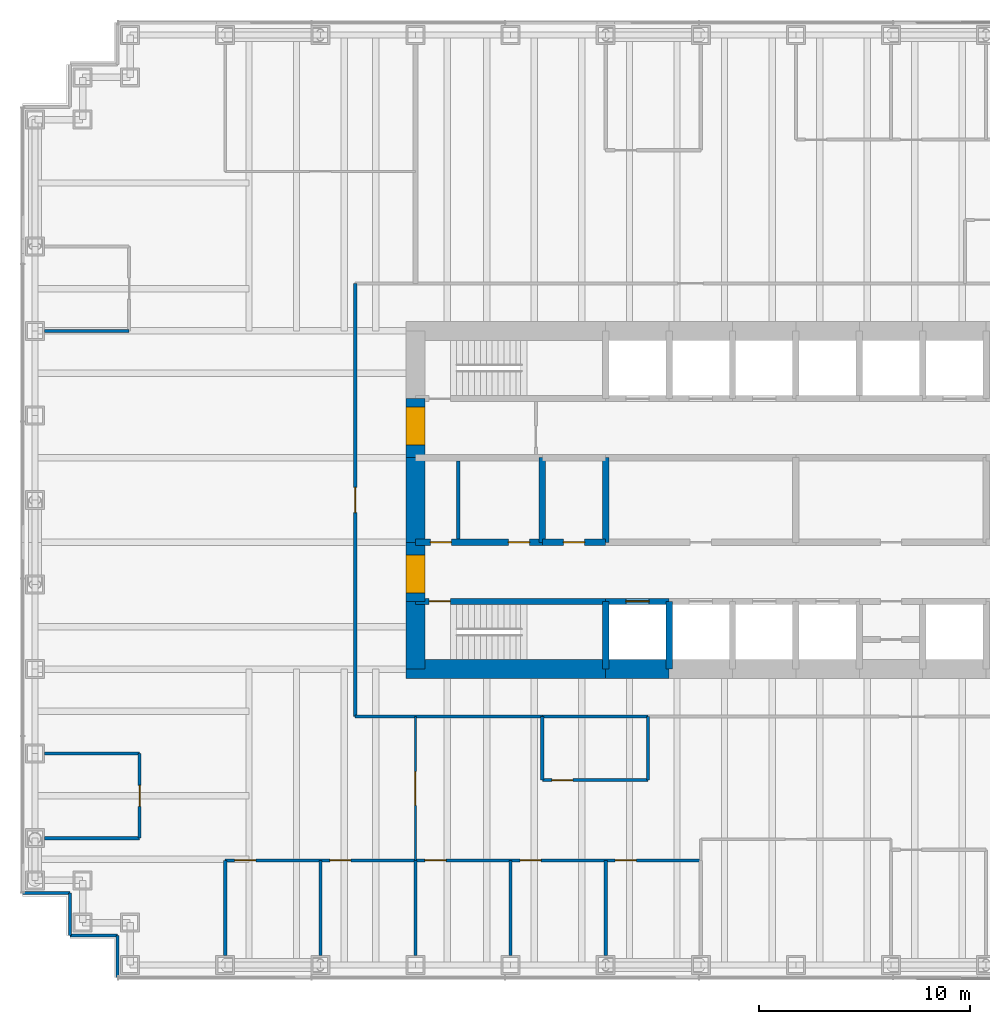
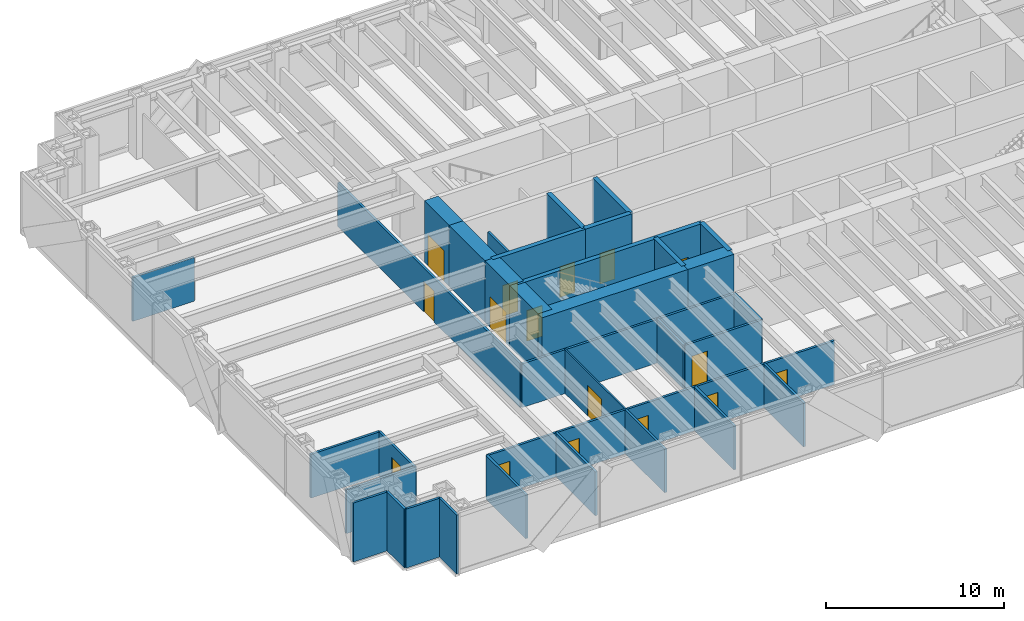
# One storey, part 13 of 17: 36 walls, 16 doors, 16 openings.
"""IFC4 building model written with IfcOpenShell, lengths in metres."""

from ifc_helpers import new_model, si_unit, direction, frame, frame_2d, origin, place, context, subcontext, project, spatial, rectangle, extrude, material, layer, layer_set, type_object, element, fill, save


model = new_model("IFC4")

# Units and contexts
model_context = context("Model", 3, precision=1e-05, world=origin(), true_north=direction((0.0, 1.0)))
body_context = subcontext(model_context, "Body", "Model", "MODEL_VIEW")
ifc_project = project(units=[si_unit("LENGTHUNIT", "METRE"), si_unit("AREAUNIT", "SQUARE_METRE"), si_unit("VOLUMEUNIT", "CUBIC_METRE"), si_unit("PLANEANGLEUNIT", "RADIAN"), si_unit("MASSUNIT", "GRAM", prefix="KILO")], contexts=[model_context])

# Site, building, storey
site_placement = place(None, origin())
site = spatial("IfcSite", under=ifc_project, at=site_placement, CompositionType="ELEMENT")
building_placement = place(site_placement, origin())
building = spatial("IfcBuilding", under=site, at=building_placement, Name="Rheinbord Bourse Tower", CompositionType="ELEMENT")
storey_placement = place(building_placement, frame((0.0, 0.0, 159.300048828125)))
storey = spatial("IfcBuildingStorey", under=building, at=storey_placement, Name="L35", CompositionType="ELEMENT", Elevation=159.300048828125)

# Wall, opening, door
ifc_material_1 = material(Name="Concrete C50/60", Category="concrete")
ifc_layer_1 = layer(ifc_material_1, 0.300048828125)
ifc_layer_set_1 = layer_set([ifc_layer_1], Name="CORE INNER WALL 300")
wall_type_1 = type_object("IfcWallType", Name="CORE INNER WALL 300", PredefinedType="SOLIDWALL", material=ifc_layer_set_1)
wall_1_placement = place(storey_placement, frame((18.0, 19.199951171875, 0.0), z_axis=(0.0, 0.0, 1.0), x_axis=(1.0, 0.0, 0.0)))
wall_1 = element("IfcWall", 1, at=wall_1_placement, inside=storey, type_object=wall_type_1, Name="Core wall A1 L35", PredefinedType="SOLIDWALL", context=body_context, shape_type="SweptSolid", body=[
    extrude(rectangle(XDim=9.0, YDim=0.300048828125, at=frame_2d((4.5, 0.0))), origin(), (0.0, 0.0, 1.0), 4.199951171875),
])
opening_1_placement = place(wall_1_placement, frame((0.64990234375, 0.0, 0.0)))
opening_1 = element("IfcOpeningElement", 2, at=opening_1_placement, cuts=wall_1, Name="Opening 3510", PredefinedType="OPENING", context=body_context, shape_type="SweptSolid", body=[
    extrude(rectangle(XDim=1.0, YDim=2.10009765625, at=frame_2d((0.5, 1.050048828125))), frame((0.0, 0.159912109375, 0.0), z_axis=(0.0, -1.0, 0.0), x_axis=(1.0, 0.0, 0.0)), (0.0, 0.0, 1.0), 0.320068359375),
])
ifc_material_2 = material(Name="Steel door", Category="steel")
door_type_1 = type_object("IfcDoorType", Name="DOOR 1000 EI30", OperationType="SINGLE_SWING_LEFT", PredefinedType="DOOR", material=ifc_material_2)
door_1_placement = place(opening_1_placement, origin())
door_1 = element("IfcDoor", 3, at=door_1_placement, inside=storey, type_object=door_type_1, Name="Stair door ST1 L35", OperationType="SINGLE_SWING_LEFT", OverallHeight=2.10009765625, OverallWidth=1.0, PredefinedType="DOOR", context=body_context, shape_type="SweptSolid", body=[
    extrude(rectangle(XDim=1.0, YDim=2.10009765625, at=frame_2d((0.5, 1.050048828125))), frame((0.0, 0.02490234375, 0.0), z_axis=(0.0, -1.0, 0.0), x_axis=(1.0, 0.0, 0.0)), (0.0, 0.0, 1.0), 0.050048828125),
])
fill(opening_1, door_1)

wall_2_placement = place(storey_placement, frame((27.0, 19.199951171875, 0.0), z_axis=(0.0, 0.0, 1.0), x_axis=(1.0, 0.0, 0.0)))
wall_2 = element("IfcWall", 4, at=wall_2_placement, inside=storey, type_object=wall_type_1, Name="Core wall A2 L35", PredefinedType="SOLIDWALL", context=body_context, shape_type="SweptSolid", body=[
    extrude(rectangle(XDim=3.0, YDim=0.300048828125, at=frame_2d((1.5, 0.0))), origin(), (0.0, 0.0, 1.0), 4.199951171875),
])
opening_2_placement = place(wall_2_placement, frame((0.949951171875, 0.0, 0.0)))
opening_2 = element("IfcOpeningElement", 5, at=opening_2_placement, cuts=wall_2, Name="Opening FL1", PredefinedType="OPENING", context=body_context, shape_type="SweptSolid", body=[
    extrude(rectangle(XDim=1.10009765625, YDim=2.199951171875, at=frame_2d((0.550048828125, 1.10009765625))), frame((0.0, 0.159912109375, 0.0), z_axis=(0.0, -1.0, 0.0), x_axis=(1.0, 0.0, 0.0)), (0.0, 0.0, 1.0), 0.320068359375),
])
ifc_material_3 = material(Name="Steel landing door", Category="steel")
door_type_2 = type_object("IfcDoorType", Name="LIFT LANDING DOOR 1100", OperationType="DOUBLE_DOOR_SLIDING", PredefinedType="USERDEFINED", material=ifc_material_3)
door_2_placement = place(opening_2_placement, origin())
door_2 = element("IfcDoor", 6, at=door_2_placement, inside=storey, type_object=door_type_2, Name="Lift landing door FL1 L35", ObjectType="LIFT LANDING DOOR", OperationType="DOUBLE_DOOR_SLIDING", OverallHeight=2.199951171875, OverallWidth=1.10009765625, PredefinedType="USERDEFINED", context=body_context, shape_type="SweptSolid", body=[
    extrude(rectangle(XDim=1.10009765625, YDim=2.199951171875, at=frame_2d((0.550048828125, 1.10009765625))), frame((0.0, 0.02490234375, 0.0), z_axis=(0.0, -1.0, 0.0), x_axis=(1.0, 0.0, 0.0)), (0.0, 0.0, 1.0), 0.050048828125),
])
fill(opening_2, door_2)

# Wall, openings, doors
wall_3_placement = place(storey_placement, frame((18.0, 22.0, 0.0), z_axis=(0.0, 0.0, 1.0), x_axis=(1.0, 0.0, 0.0)))
wall_3 = element("IfcWall", 7, at=wall_3_placement, inside=storey, type_object=wall_type_1, Name="Core wall C1 L35", PredefinedType="SOLIDWALL", context=body_context, shape_type="SweptSolid", body=[
    extrude(rectangle(XDim=6.0, YDim=0.300048828125, at=frame_2d((3.0, 0.0))), origin(), (0.0, 0.0, 1.0), 4.199951171875),
])
opening_3_placement = place(wall_3_placement, frame((4.39990234375, 0.0, 0.0)))
opening_3 = element("IfcOpeningElement", 8, at=opening_3_placement, cuts=wall_3, Name="Opening 35R1", PredefinedType="OPENING", context=body_context, shape_type="SweptSolid", body=[
    extrude(rectangle(XDim=1.0, YDim=2.10009765625, at=frame_2d((0.5, 1.050048828125))), frame((0.0, 0.159912109375, 0.0), z_axis=(0.0, -1.0, 0.0), x_axis=(1.0, 0.0, 0.0)), (0.0, 0.0, 1.0), 0.320068359375),
])
opening_4_placement = place(wall_3_placement, frame((0.699951171875, 0.0, 0.0)))
opening_4 = element("IfcOpeningElement", 9, at=opening_4_placement, cuts=wall_3, Name="Opening 35R9", PredefinedType="OPENING", context=body_context, shape_type="SweptSolid", body=[
    extrude(rectangle(XDim=1.0, YDim=2.10009765625, at=frame_2d((0.5, 1.050048828125))), frame((0.0, 0.159912109375, 0.0), z_axis=(0.0, -1.0, 0.0), x_axis=(1.0, 0.0, 0.0)), (0.0, 0.0, 1.0), 0.320068359375),
])
door_3_placement = place(opening_4_placement, origin())
door_3 = element("IfcDoor", 10, at=door_3_placement, inside=storey, type_object=door_type_1, Name="Staff shower door L35", OperationType="SINGLE_SWING_LEFT", OverallHeight=2.10009765625, OverallWidth=1.0, PredefinedType="DOOR", context=body_context, shape_type="SweptSolid", body=[
    extrude(rectangle(XDim=1.0, YDim=2.10009765625, at=frame_2d((0.5, 1.050048828125))), frame((0.0, 0.02490234375, 0.0), z_axis=(0.0, -1.0, 0.0), x_axis=(1.0, 0.0, 0.0)), (0.0, 0.0, 1.0), 0.050048828125),
])
fill(opening_4, door_3)
ifc_material_4 = material(Name="Timber door", Category="wood")
door_type_3 = type_object("IfcDoorType", Name="DOOR 1000 WC", OperationType="SINGLE_SWING_LEFT", PredefinedType="DOOR", material=ifc_material_4)
door_4_placement = place(opening_3_placement, origin())
door_4 = element("IfcDoor", 11, at=door_4_placement, inside=storey, type_object=door_type_3, Name="WC men door L35", OperationType="SINGLE_SWING_RIGHT", OverallHeight=2.10009765625, OverallWidth=1.0, PredefinedType="DOOR", context=body_context, shape_type="SweptSolid", body=[
    extrude(rectangle(XDim=1.0, YDim=2.10009765625, at=frame_2d((0.5, 1.050048828125))), frame((0.0, 0.02490234375, 0.0), z_axis=(0.0, -1.0, 0.0), x_axis=(1.0, 0.0, 0.0)), (0.0, 0.0, 1.0), 0.050048828125),
])
fill(opening_3, door_4)

# Wall, opening, door
wall_4_placement = place(storey_placement, frame((24.0, 22.0, 0.0), z_axis=(0.0, 0.0, 1.0), x_axis=(1.0, 0.0, 0.0)))
wall_4 = element("IfcWall", 12, at=wall_4_placement, inside=storey, type_object=wall_type_1, Name="Core wall C2 L35", PredefinedType="SOLIDWALL", context=body_context, shape_type="SweptSolid", body=[
    extrude(rectangle(XDim=3.0, YDim=0.300048828125, at=frame_2d((1.5, 0.0))), origin(), (0.0, 0.0, 1.0), 4.199951171875),
])
opening_5_placement = place(wall_4_placement, frame((1.0, 0.0, 0.0)))
opening_5 = element("IfcOpeningElement", 13, at=opening_5_placement, cuts=wall_4, Name="Opening 35R2", PredefinedType="OPENING", context=body_context, shape_type="SweptSolid", body=[
    extrude(rectangle(XDim=1.0, YDim=2.10009765625, at=frame_2d((0.5, 1.050048828125))), frame((0.0, 0.159912109375, 0.0), z_axis=(0.0, -1.0, 0.0), x_axis=(1.0, 0.0, 0.0)), (0.0, 0.0, 1.0), 0.320068359375),
])
door_5_placement = place(opening_5_placement, origin())
door_5 = element("IfcDoor", 14, at=door_5_placement, inside=storey, type_object=door_type_3, Name="Shower and accessible WC door L35", OperationType="SINGLE_SWING_LEFT", OverallHeight=2.10009765625, OverallWidth=1.0, PredefinedType="DOOR", context=body_context, shape_type="SweptSolid", body=[
    extrude(rectangle(XDim=1.0, YDim=2.10009765625, at=frame_2d((0.5, 1.050048828125))), frame((0.0, 0.02490234375, 0.0), z_axis=(0.0, -1.0, 0.0), x_axis=(1.0, 0.0, 0.0)), (0.0, 0.0, 1.0), 0.050048828125),
])
fill(opening_5, door_5)

# Walls
for number, where, z_axis, x_axis, name in (
    (15, (27.0, 16.0, 0.0), (0.0, 0.0, 1.0), (0.0, 1.0, 0.0), "Core wall SX27 L35"),
    (16, (30.0, 16.0, 0.0), (0.0, 0.0, 1.0), (0.0, 1.0, 0.0), "Core wall SX30 L35"),
):
    element("IfcWall", number, at=place(storey_placement, frame(where, z_axis=z_axis, x_axis=x_axis)), inside=storey, type_object=wall_type_1, Name=name, PredefinedType="SOLIDWALL", context=body_context, shape_type="SweptSolid", body=[
        extrude(rectangle(XDim=3.199951171875, YDim=0.300048828125, at=frame_2d((1.60009765625, 0.0))), origin(), (0.0, 0.0, 1.0), 4.199951171875),
    ])
for number, where, z_axis, x_axis, name in (
    (17, (24.0, 22.0, 0.0), (0.0, 0.0, 1.0), (0.0, 1.0, 0.0), "Core wall MX24 L35"),
    (18, (27.0, 22.0, 0.0), (0.0, 0.0, 1.0), (0.0, 1.0, 0.0), "Core wall MX27 L35"),
):
    element("IfcWall", number, at=place(storey_placement, frame(where, z_axis=z_axis, x_axis=x_axis)), inside=storey, type_object=wall_type_1, Name=name, PredefinedType="SOLIDWALL", context=body_context, shape_type="SweptSolid", body=[
        extrude(rectangle(XDim=4.0, YDim=0.300048828125, at=frame_2d((2.0, 0.0))), origin(), (0.0, 0.0, 1.0), 4.199951171875),
    ])
ifc_material_5 = material(Name="Gypsum board fire partition", Category="gypsum board")
ifc_layer_2 = layer(ifc_material_5, 0.14990234375)
ifc_layer_set_2 = layer_set([ifc_layer_2], Name="CORE PARTITION 150 EI30")
wall_type_2 = type_object("IfcWallType", Name="CORE PARTITION 150 EI30", PredefinedType="PARTITIONING", material=ifc_layer_set_2)
wall_5_placement = place(storey_placement, frame((20.02490234375, 22.14990234375, 0.0), z_axis=(0.0, 0.0, 1.0), x_axis=(0.0, 1.0, 0.0)))
element("IfcWall", 19, at=wall_5_placement, inside=storey, type_object=wall_type_2, Name="Core partition L35-2", PredefinedType="PARTITIONING", context=body_context, shape_type="SweptSolid", body=[
    extrude(rectangle(XDim=3.7001953125, YDim=0.14990234375, at=frame_2d((1.85009765625, 0.0))), origin(), (0.0, 0.0, 1.0), 3.0),
])
ifc_material_6 = material(Name="Concrete C50/60", Category="concrete")
ifc_layer_3 = layer(ifc_material_6, 0.89990234375)
ifc_layer_set_3 = layer_set([ifc_layer_3], Name="CORE WALL 900")
wall_type_3 = type_object("IfcWallType", Name="CORE WALL 900", PredefinedType="SHEAR", material=ifc_layer_set_3)
wall_6_placement = place(storey_placement, frame((17.550048828125, 16.0, 0.0), z_axis=(0.0, 0.0, 1.0), x_axis=(1.0, 0.0, 0.0)))
element("IfcWall", 20, at=wall_6_placement, inside=storey, type_object=wall_type_3, Name="Core wall S1 L35", PredefinedType="SHEAR", context=body_context, shape_type="SweptSolid", body=[
    extrude(rectangle(XDim=9.449951171875, YDim=0.89990234375, at=frame_2d((4.72509765625, 0.0))), origin(), (0.0, 0.0, 1.0), 4.199951171875),
])
wall_7_placement = place(storey_placement, frame((27.0, 16.0, 0.0), z_axis=(0.0, 0.0, 1.0), x_axis=(1.0, 0.0, 0.0)))
element("IfcWall", 21, at=wall_7_placement, inside=storey, type_object=wall_type_3, Name="Core wall S2 L35", PredefinedType="SHEAR", context=body_context, shape_type="SweptSolid", body=[
    extrude(rectangle(XDim=3.0, YDim=0.89990234375, at=frame_2d((1.5, 0.0))), origin(), (0.0, 0.0, 1.0), 4.199951171875),
])

# Wall, opening, door
wall_8_placement = place(storey_placement, frame((18.0, 28.800048828125, 0.0), z_axis=(0.0, 0.0, 1.0), x_axis=(0.0, -1.0, 0.0)))
wall_8 = element("IfcWall", 22, at=wall_8_placement, inside=storey, type_object=wall_type_3, Name="Core wall W2 L35", PredefinedType="SHEAR", context=body_context, shape_type="SweptSolid", body=[
    extrude(rectangle(XDim=2.800048828125, YDim=0.89990234375, at=frame_2d((1.39990234375, 0.0))), origin(), (0.0, 0.0, 1.0), 4.199951171875),
])
opening_6_placement = place(wall_8_placement, frame((0.39990234375, 0.0, 0.0)))
opening_6 = element("IfcOpeningElement", 23, at=opening_6_placement, cuts=wall_8, Name="Opening 35L2", PredefinedType="OPENING", context=body_context, shape_type="SweptSolid", body=[
    extrude(rectangle(XDim=1.800048828125, YDim=2.10009765625, at=frame_2d((0.89990234375, 1.050048828125))), frame((0.0, 0.4599609375, 0.0), z_axis=(0.0, -1.0, 0.0), x_axis=(1.0, 0.0, 0.0)), (0.0, 0.0, 1.0), 0.919921875),
])
ifc_material_7 = material(Name="Steel door", Category="steel")
door_type_4 = type_object("IfcDoorType", Name="DOOR 1800 EI30 DOUBLE", OperationType="DOUBLE_DOOR_DOUBLE_SWING", PredefinedType="DOOR", material=ifc_material_7)
door_6_placement = place(opening_6_placement, origin())
door_6 = element("IfcDoor", 24, at=door_6_placement, inside=storey, type_object=door_type_4, Name="Lobby door 2 L35", OperationType="SINGLE_SWING_LEFT", OverallHeight=2.10009765625, OverallWidth=1.800048828125, PredefinedType="DOOR", context=body_context, shape_type="SweptSolid", body=[
    extrude(rectangle(XDim=1.800048828125, YDim=2.10009765625, at=frame_2d((0.89990234375, 1.050048828125))), frame((0.0, 0.44970703125, 0.0), z_axis=(0.0, -1.0, 0.0), x_axis=(1.0, 0.0, 0.0)), (0.0, 0.0, 1.0), 0.8994140625),
])
fill(opening_6, door_6)

# Wall
wall_9_placement = place(storey_placement, frame((18.0, 26.0, 0.0), z_axis=(0.0, 0.0, 1.0), x_axis=(0.0, -1.0, 0.0)))
element("IfcWall", 25, at=wall_9_placement, inside=storey, type_object=wall_type_3, Name="Core wall W3 L35", PredefinedType="SHEAR", context=body_context, shape_type="SweptSolid", body=[
    extrude(rectangle(XDim=4.0, YDim=0.89990234375, at=frame_2d((2.0, 0.0))), origin(), (0.0, 0.0, 1.0), 4.199951171875),
])

# Wall, opening, door
wall_10_placement = place(storey_placement, frame((18.0, 22.0, 0.0), z_axis=(0.0, 0.0, 1.0), x_axis=(0.0, -1.0, 0.0)))
wall_10 = element("IfcWall", 26, at=wall_10_placement, inside=storey, type_object=wall_type_3, Name="Core wall W4 L35", PredefinedType="SHEAR", context=body_context, shape_type="SweptSolid", body=[
    extrude(rectangle(XDim=2.800048828125, YDim=0.89990234375, at=frame_2d((1.39990234375, 0.0))), origin(), (0.0, 0.0, 1.0), 4.199951171875),
])
opening_7_placement = place(wall_10_placement, frame((0.60009765625, 0.0, 0.0)))
opening_7 = element("IfcOpeningElement", 27, at=opening_7_placement, cuts=wall_10, Name="Opening 35L1", PredefinedType="OPENING", context=body_context, shape_type="SweptSolid", body=[
    extrude(rectangle(XDim=1.800048828125, YDim=2.10009765625, at=frame_2d((0.89990234375, 1.050048828125))), frame((0.0, 0.4599609375, 0.0), z_axis=(0.0, -1.0, 0.0), x_axis=(1.0, 0.0, 0.0)), (0.0, 0.0, 1.0), 0.919921875),
])
door_7_placement = place(opening_7_placement, origin())
door_7 = element("IfcDoor", 28, at=door_7_placement, inside=storey, type_object=door_type_4, Name="Lobby door 1 L35", OperationType="SINGLE_SWING_LEFT", OverallHeight=2.10009765625, OverallWidth=1.800048828125, PredefinedType="DOOR", context=body_context, shape_type="SweptSolid", body=[
    extrude(rectangle(XDim=1.800048828125, YDim=2.10009765625, at=frame_2d((0.89990234375, 1.050048828125))), frame((0.0, 0.44970703125, 0.0), z_axis=(0.0, -1.0, 0.0), x_axis=(1.0, 0.0, 0.0)), (0.0, 0.0, 1.0), 0.8994140625),
])
fill(opening_7, door_7)

# Walls
wall_11_placement = place(storey_placement, frame((18.0, 19.199951171875, 0.0), z_axis=(0.0, 0.0, 1.0), x_axis=(0.0, -1.0, 0.0)))
element("IfcWall", 29, at=wall_11_placement, inside=storey, type_object=wall_type_3, Name="Core wall W5 L35", PredefinedType="SHEAR", context=body_context, shape_type="SweptSolid", body=[
    extrude(rectangle(XDim=3.199951171875, YDim=0.89990234375, at=frame_2d((1.60009765625, 0.0))), origin(), (0.0, 0.0, 1.0), 4.199951171875),
])
ifc_material_8 = material(Name="Black metal rainscreen panel", Category="aluminium")
ifc_layer_4 = layer(ifc_material_8, 0.14990234375)
ifc_layer_set_4 = layer_set([ifc_layer_4], Name="CORNER PIER CLADDING 150")
wall_type_4 = type_object("IfcWallType", Name="CORNER PIER CLADDING 150", PredefinedType="ELEMENTEDWALL", material=ifc_layer_set_4)
wall_12_placement = place(storey_placement, frame((-0.60009765625, 5.39990234375, 0.0), z_axis=(0.0, 0.0, 1.0), x_axis=(1.0, 0.0, 0.0)))
element("IfcWall", 30, at=wall_12_placement, inside=storey, type_object=wall_type_4, Name="Corner pier cladding L35 17", PredefinedType="ELEMENTEDWALL", context=body_context, shape_type="SweptSolid", body=[
    extrude(rectangle(XDim=2.25, YDim=0.14990234375, at=frame_2d((1.125, 0.0))), origin(), (0.0, 0.0, 1.0), 4.0400390625),
])
wall_13_placement = place(storey_placement, frame((1.64990234375, 5.39990234375, 0.0), z_axis=(0.0, 0.0, 1.0), x_axis=(0.0, -1.0, 0.0)))
element("IfcWall", 31, at=wall_13_placement, inside=storey, type_object=wall_type_4, Name="Corner pier cladding L35 18", PredefinedType="ELEMENTEDWALL", context=body_context, shape_type="SweptSolid", body=[
    extrude(rectangle(XDim=2.0, YDim=0.14990234375, at=frame_2d((1.0, 0.0))), origin(), (0.0, 0.0, 1.0), 4.0400390625),
])
wall_14_placement = place(storey_placement, frame((1.64990234375, 3.39990234375, 0.0), z_axis=(0.0, 0.0, 1.0), x_axis=(1.0, 0.0, 0.0)))
element("IfcWall", 32, at=wall_14_placement, inside=storey, type_object=wall_type_4, Name="Corner pier cladding L35 19", PredefinedType="ELEMENTEDWALL", context=body_context, shape_type="SweptSolid", body=[
    extrude(rectangle(XDim=2.25, YDim=0.14990234375, at=frame_2d((1.125, 0.0))), origin(), (0.0, 0.0, 1.0), 4.0400390625),
])
wall_15_placement = place(storey_placement, frame((3.89990234375, 3.39990234375, 0.0), z_axis=(0.0, 0.0, 1.0), x_axis=(0.0, -1.0, 0.0)))
element("IfcWall", 33, at=wall_15_placement, inside=storey, type_object=wall_type_4, Name="Corner pier cladding L35 20", PredefinedType="ELEMENTEDWALL", context=body_context, shape_type="SweptSolid", body=[
    extrude(rectangle(XDim=2.0, YDim=0.14990234375, at=frame_2d((1.0, 0.0))), origin(), (0.0, 0.0, 1.0), 4.0400390625),
])
ifc_material_9 = material(Name="Gypsum board corridor partition", Category="gypsum board")
ifc_layer_5 = layer(ifc_material_9, 0.14990234375)
ifc_layer_set_5 = layer_set([ifc_layer_5], Name="CORRIDOR PARTITION 150 EI30")
wall_type_5 = type_object("IfcWallType", Name="CORRIDOR PARTITION 150 EI30", PredefinedType="PARTITIONING", material=ifc_layer_set_5)
wall_16_placement = place(storey_placement, frame((15.14990234375, 13.75, 0.0), z_axis=(0.0, 0.0, 1.0), x_axis=(1.0, 0.0, 0.0)))
element("IfcWall", 34, at=wall_16_placement, inside=storey, type_object=wall_type_5, Name="Partition L35-08", PredefinedType="PARTITIONING", context=body_context, shape_type="SweptSolid", body=[
    extrude(rectangle(XDim=8.85009765625, YDim=0.14990234375, at=frame_2d((4.425048828125, 0.0))), origin(), (0.0, 0.0, 1.0), 3.0),
])

# Wall, opening, door
wall_17_placement = place(storey_placement, frame((15.14990234375, 13.75, 0.0), z_axis=(0.0, 0.0, 1.0), x_axis=(0.0, 1.0, 0.0)))
wall_17 = element("IfcWall", 35, at=wall_17_placement, inside=storey, type_object=wall_type_5, Name="Partition L35-28", PredefinedType="PARTITIONING", context=body_context, shape_type="SweptSolid", body=[
    extrude(rectangle(XDim=20.5, YDim=0.14990234375, at=frame_2d((10.25, 0.0))), origin(), (0.0, 0.0, 1.0), 3.0),
])
opening_8_placement = place(wall_17_placement, frame((9.64990234375, 0.0, 0.0)))
opening_8 = element("IfcOpeningElement", 36, at=opening_8_placement, cuts=wall_17, Name="Opening 35D23", PredefinedType="OPENING", context=body_context, shape_type="SweptSolid", body=[
    extrude(rectangle(XDim=1.199951171875, YDim=2.10009765625, at=frame_2d((0.60009765625, 1.050048828125))), frame((0.0, 0.0849609375, 0.0), z_axis=(0.0, -1.0, 0.0), x_axis=(1.0, 0.0, 0.0)), (0.0, 0.0, 1.0), 0.169921875),
])
ifc_material_10 = material(Name="Timber fire door", Category="wood")
door_type_5 = type_object("IfcDoorType", Name="SUITE ENTRANCE DOOR 1200 EI30", OperationType="SINGLE_SWING_LEFT", PredefinedType="DOOR", material=ifc_material_10)
door_8_placement = place(opening_8_placement, origin())
door_8 = element("IfcDoor", 37, at=door_8_placement, inside=storey, type_object=door_type_5, Name="Suite entrance 1 door L35", OperationType="SINGLE_SWING_LEFT", OverallHeight=2.10009765625, OverallWidth=1.199951171875, PredefinedType="DOOR", context=body_context, shape_type="SweptSolid", body=[
    extrude(rectangle(XDim=1.199951171875, YDim=2.10009765625, at=frame_2d((0.60009765625, 1.050048828125))), frame((0.0, 0.02490234375, 0.0), z_axis=(0.0, -1.0, 0.0), x_axis=(1.0, 0.0, 0.0)), (0.0, 0.0, 1.0), 0.050048828125),
])
fill(opening_8, door_8)

# Wall
ifc_material_11 = material(Name="Gypsum board fire partition", Category="gypsum board")
ifc_layer_6 = layer(ifc_material_11, 0.14990234375)
ifc_layer_set_6 = layer_set([ifc_layer_6], Name="FIRE PARTITION 150 EI60")
wall_type_6 = type_object("IfcWallType", Name="FIRE PARTITION 150 EI60", PredefinedType="PARTITIONING", material=ifc_layer_set_6)
wall_18_placement = place(storey_placement, frame((0.449951171875, 8.0, 0.0), z_axis=(0.0, 0.0, 1.0), x_axis=(1.0, 0.0, 0.0)))
element("IfcWall", 38, at=wall_18_placement, inside=storey, type_object=wall_type_6, Name="Partition L35-04", PredefinedType="PARTITIONING", context=body_context, shape_type="SweptSolid", body=[
    extrude(rectangle(XDim=4.5, YDim=0.14990234375, at=frame_2d((2.25, 0.0))), origin(), (0.0, 0.0, 1.0), 3.0),
])

# Wall, opening, door
wall_19_placement = place(storey_placement, frame((24.0, 10.75, 0.0), z_axis=(0.0, 0.0, 1.0), x_axis=(1.0, 0.0, 0.0)))
wall_19 = element("IfcWall", 39, at=wall_19_placement, inside=storey, type_object=wall_type_6, Name="Partition L35-05", PredefinedType="PARTITIONING", context=body_context, shape_type="SweptSolid", body=[
    extrude(rectangle(XDim=5.0, YDim=0.14990234375, at=frame_2d((2.5, 0.0))), origin(), (0.0, 0.0, 1.0), 3.0),
])
opening_9_placement = place(wall_19_placement, frame((0.449951171875, 0.0, 0.0)))
opening_9 = element("IfcOpeningElement", 40, at=opening_9_placement, cuts=wall_19, Name="Opening 35D09", PredefinedType="OPENING", context=body_context, shape_type="SweptSolid", body=[
    extrude(rectangle(XDim=1.0, YDim=2.10009765625, at=frame_2d((0.5, 1.050048828125))), frame((0.0, 0.0849609375, 0.0), z_axis=(0.0, -1.0, 0.0), x_axis=(1.0, 0.0, 0.0)), (0.0, 0.0, 1.0), 0.169921875),
])
ifc_material_12 = material(Name="Timber fire door", Category="wood")
door_type_6 = type_object("IfcDoorType", Name="FIRE DOOR 1000 EI60", OperationType="SINGLE_SWING_LEFT", PredefinedType="DOOR", material=ifc_material_12)
door_9_placement = place(opening_9_placement, origin())
door_9 = element("IfcDoor", 41, at=door_9_placement, inside=storey, type_object=door_type_6, Name="Comms room door L35", OperationType="SINGLE_SWING_LEFT", OverallHeight=2.10009765625, OverallWidth=1.0, PredefinedType="DOOR", context=body_context, shape_type="SweptSolid", body=[
    extrude(rectangle(XDim=1.0, YDim=2.10009765625, at=frame_2d((0.5, 1.050048828125))), frame((0.0, 0.02490234375, 0.0), z_axis=(0.0, -1.0, 0.0), x_axis=(1.0, 0.0, 0.0)), (0.0, 0.0, 1.0), 0.050048828125),
])
fill(opening_9, door_9)

# Walls
wall_20_placement = place(storey_placement, frame((0.449951171875, 12.0, 0.0), z_axis=(0.0, 0.0, 1.0), x_axis=(1.0, 0.0, 0.0)))
element("IfcWall", 42, at=wall_20_placement, inside=storey, type_object=wall_type_6, Name="Partition L35-06", PredefinedType="PARTITIONING", context=body_context, shape_type="SweptSolid", body=[
    extrude(rectangle(XDim=4.5, YDim=0.14990234375, at=frame_2d((2.25, 0.0))), origin(), (0.0, 0.0, 1.0), 3.0),
])
wall_21_placement = place(storey_placement, frame((24.0, 13.75, 0.0), z_axis=(0.0, 0.0, 1.0), x_axis=(1.0, 0.0, 0.0)))
element("IfcWall", 43, at=wall_21_placement, inside=storey, type_object=wall_type_6, Name="Partition L35-09", PredefinedType="PARTITIONING", context=body_context, shape_type="SweptSolid", body=[
    extrude(rectangle(XDim=5.0, YDim=0.14990234375, at=frame_2d((2.5, 0.0))), origin(), (0.0, 0.0, 1.0), 3.0),
])

# Wall, opening, door
wall_22_placement = place(storey_placement, frame((4.949951171875, 8.0, 0.0), z_axis=(0.0, 0.0, 1.0), x_axis=(0.0, 1.0, 0.0)))
wall_22 = element("IfcWall", 44, at=wall_22_placement, inside=storey, type_object=wall_type_6, Name="Partition L35-24", PredefinedType="PARTITIONING", context=body_context, shape_type="SweptSolid", body=[
    extrude(rectangle(XDim=4.0, YDim=0.14990234375, at=frame_2d((2.0, 0.0))), origin(), (0.0, 0.0, 1.0), 3.0),
])
opening_10_placement = place(wall_22_placement, frame((1.5, 0.0, 0.0)))
opening_10 = element("IfcOpeningElement", 45, at=opening_10_placement, cuts=wall_22, Name="Opening 35D08", PredefinedType="OPENING", context=body_context, shape_type="SweptSolid", body=[
    extrude(rectangle(XDim=1.0, YDim=2.10009765625, at=frame_2d((0.5, 1.050048828125))), frame((0.0, 0.0849609375, 0.0), z_axis=(0.0, -1.0, 0.0), x_axis=(1.0, 0.0, 0.0)), (0.0, 0.0, 1.0), 0.169921875),
])
door_10_placement = place(opening_10_placement, origin())
door_10 = element("IfcDoor", 46, at=door_10_placement, inside=storey, type_object=door_type_6, Name="File room door L35", OperationType="SINGLE_SWING_LEFT", OverallHeight=2.10009765625, OverallWidth=1.0, PredefinedType="DOOR", context=body_context, shape_type="SweptSolid", body=[
    extrude(rectangle(XDim=1.0, YDim=2.10009765625, at=frame_2d((0.5, 1.050048828125))), frame((0.0, 0.02490234375, 0.0), z_axis=(0.0, -1.0, 0.0), x_axis=(1.0, 0.0, 0.0)), (0.0, 0.0, 1.0), 0.050048828125),
])
fill(opening_10, door_10)

# Walls
for number, where, z_axis, x_axis, name in (
    (47, (24.0, 10.75, 0.0), (0.0, 0.0, 1.0), (0.0, 1.0, 0.0), "Partition L35-33"),
    (48, (29.0, 10.75, 0.0), (0.0, 0.0, 1.0), (0.0, 1.0, 0.0), "Partition L35-36"),
):
    element("IfcWall", number, at=place(storey_placement, frame(where, z_axis=z_axis, x_axis=x_axis)), inside=storey, type_object=wall_type_6, Name=name, PredefinedType="PARTITIONING", context=body_context, shape_type="SweptSolid", body=[
        extrude(rectangle(XDim=3.0, YDim=0.14990234375, at=frame_2d((1.5, 0.0))), origin(), (0.0, 0.0, 1.0), 3.0),
    ])

# Wall, opening, door
ifc_material_13 = material(Name="Toughened laminated glass partition", Category="glass")
ifc_layer_7 = layer(ifc_material_13, 0.10009765625)
ifc_layer_set_7 = layer_set([ifc_layer_7], Name="GLAZED PARTITION 100")
wall_type_7 = type_object("IfcWallType", Name="GLAZED PARTITION 100", PredefinedType="PARTITIONING", material=ifc_layer_set_7)
wall_23_placement = place(storey_placement, frame((18.0, 6.949951171875, 0.0), z_axis=(0.0, 0.0, 1.0), x_axis=(0.0, 1.0, 0.0)))
wall_23 = element("IfcWall", 49, at=wall_23_placement, inside=storey, type_object=wall_type_7, Name="Partition L35-30", PredefinedType="PARTITIONING", context=body_context, shape_type="SweptSolid", body=[
    extrude(rectangle(XDim=6.800048828125, YDim=0.10009765625, at=frame_2d((3.39990234375, 0.0))), origin(), (0.0, 0.0, 1.0), 3.0),
])
opening_11_placement = place(wall_23_placement, frame((2.60009765625, 0.0, 0.0)))
opening_11 = element("IfcOpeningElement", 50, at=opening_11_placement, cuts=wall_23, Name="Opening 35D21", PredefinedType="OPENING", context=body_context, shape_type="SweptSolid", body=[
    extrude(rectangle(XDim=1.60009765625, YDim=2.10009765625, at=frame_2d((0.800048828125, 1.050048828125))), frame((0.0, 0.06005859375, 0.0), z_axis=(0.0, -1.0, 0.0), x_axis=(1.0, 0.0, 0.0)), (0.0, 0.0, 1.0), 0.1201171875),
])
ifc_material_14 = material(Name="Timber door", Category="wood")
door_type_7 = type_object("IfcDoorType", Name="DOUBLE ROOM DOOR 1600", OperationType="DOUBLE_DOOR_DOUBLE_SWING", PredefinedType="DOOR", material=ifc_material_14)
door_11_placement = place(opening_11_placement, origin())
door_11 = element("IfcDoor", 51, at=door_11_placement, inside=storey, type_object=door_type_7, Name="Open area door L35", OperationType="SINGLE_SWING_LEFT", OverallHeight=2.10009765625, OverallWidth=1.60009765625, PredefinedType="DOOR", context=body_context, shape_type="SweptSolid", body=[
    extrude(rectangle(XDim=1.60009765625, YDim=2.10009765625, at=frame_2d((0.800048828125, 1.050048828125))), frame((0.0, 0.02490234375, 0.0), z_axis=(0.0, -1.0, 0.0), x_axis=(1.0, 0.0, 0.0)), (0.0, 0.0, 1.0), 0.050048828125),
])
fill(opening_11, door_11)

# Wall, openings, doors
ifc_material_15 = material(Name="Gypsum board partition", Category="gypsum board")
ifc_layer_8 = layer(ifc_material_15, 0.14990234375)
ifc_layer_set_8 = layer_set([ifc_layer_8], Name="PARTITION 150")
wall_type_8 = type_object("IfcWallType", Name="PARTITION 150", PredefinedType="PARTITIONING", material=ifc_layer_set_8)
wall_24_placement = place(storey_placement, frame((9.0, 6.949951171875, 0.0), z_axis=(0.0, 0.0, 1.0), x_axis=(1.0, 0.0, 0.0)))
wall_24 = element("IfcWall", 52, at=wall_24_placement, inside=storey, type_object=wall_type_8, Name="Partition L35-01", PredefinedType="PARTITIONING", context=body_context, shape_type="SweptSolid", body=[
    extrude(rectangle(XDim=22.5, YDim=0.14990234375, at=frame_2d((11.25, 0.0))), origin(), (0.0, 0.0, 1.0), 3.0),
])
opening_12_placement = place(wall_24_placement, frame((0.449951171875, 0.0, 0.0)))
opening_12 = element("IfcOpeningElement", 53, at=opening_12_placement, cuts=wall_24, Name="Opening 35D01", PredefinedType="OPENING", context=body_context, shape_type="SweptSolid", body=[
    extrude(rectangle(XDim=1.0, YDim=2.10009765625, at=frame_2d((0.5, 1.050048828125))), frame((0.0, 0.0849609375, 0.0), z_axis=(0.0, -1.0, 0.0), x_axis=(1.0, 0.0, 0.0)), (0.0, 0.0, 1.0), 0.169921875),
])
opening_13_placement = place(wall_24_placement, frame((4.949951171875, 0.0, 0.0)))
opening_13 = element("IfcOpeningElement", 54, at=opening_13_placement, cuts=wall_24, Name="Opening 35D02", PredefinedType="OPENING", context=body_context, shape_type="SweptSolid", body=[
    extrude(rectangle(XDim=1.0, YDim=2.10009765625, at=frame_2d((0.5, 1.050048828125))), frame((0.0, 0.0849609375, 0.0), z_axis=(0.0, -1.0, 0.0), x_axis=(1.0, 0.0, 0.0)), (0.0, 0.0, 1.0), 0.169921875),
])
opening_14_placement = place(wall_24_placement, frame((9.449951171875, 0.0, 0.0)))
opening_14 = element("IfcOpeningElement", 55, at=opening_14_placement, cuts=wall_24, Name="Opening 35D03", PredefinedType="OPENING", context=body_context, shape_type="SweptSolid", body=[
    extrude(rectangle(XDim=1.0, YDim=2.10009765625, at=frame_2d((0.5, 1.050048828125))), frame((0.0, 0.0849609375, 0.0), z_axis=(0.0, -1.0, 0.0), x_axis=(1.0, 0.0, 0.0)), (0.0, 0.0, 1.0), 0.169921875),
])
opening_15_placement = place(wall_24_placement, frame((13.949951171875, 0.0, 0.0)))
opening_15 = element("IfcOpeningElement", 56, at=opening_15_placement, cuts=wall_24, Name="Opening 35D04", PredefinedType="OPENING", context=body_context, shape_type="SweptSolid", body=[
    extrude(rectangle(XDim=1.0, YDim=2.10009765625, at=frame_2d((0.5, 1.050048828125))), frame((0.0, 0.0849609375, 0.0), z_axis=(0.0, -1.0, 0.0), x_axis=(1.0, 0.0, 0.0)), (0.0, 0.0, 1.0), 0.169921875),
])
opening_16_placement = place(wall_24_placement, frame((18.449951171875, 0.0, 0.0)))
opening_16 = element("IfcOpeningElement", 57, at=opening_16_placement, cuts=wall_24, Name="Opening 35D05", PredefinedType="OPENING", context=body_context, shape_type="SweptSolid", body=[
    extrude(rectangle(XDim=1.0, YDim=2.10009765625, at=frame_2d((0.5, 1.050048828125))), frame((0.0, 0.0849609375, 0.0), z_axis=(0.0, -1.0, 0.0), x_axis=(1.0, 0.0, 0.0)), (0.0, 0.0, 1.0), 0.169921875),
])
ifc_material_16 = material(Name="Timber door", Category="wood")
door_type_8 = type_object("IfcDoorType", Name="ROOM DOOR 1000", OperationType="SINGLE_SWING_LEFT", PredefinedType="DOOR", material=ifc_material_16)
door_12_placement = place(opening_12_placement, origin())
door_12 = element("IfcDoor", 58, at=door_12_placement, inside=storey, type_object=door_type_8, Name="Office door L35", OperationType="SINGLE_SWING_LEFT", OverallHeight=2.10009765625, OverallWidth=1.0, PredefinedType="DOOR", context=body_context, shape_type="SweptSolid", body=[
    extrude(rectangle(XDim=1.0, YDim=2.10009765625, at=frame_2d((0.5, 1.050048828125))), frame((0.0, 0.02490234375, 0.0), z_axis=(0.0, -1.0, 0.0), x_axis=(1.0, 0.0, 0.0)), (0.0, 0.0, 1.0), 0.050048828125),
])
fill(opening_12, door_12)
door_13_placement = place(opening_13_placement, origin())
door_13 = element("IfcDoor", 59, at=door_13_placement, inside=storey, type_object=door_type_8, Name="Office door L35", OperationType="SINGLE_SWING_LEFT", OverallHeight=2.10009765625, OverallWidth=1.0, PredefinedType="DOOR", context=body_context, shape_type="SweptSolid", body=[
    extrude(rectangle(XDim=1.0, YDim=2.10009765625, at=frame_2d((0.5, 1.050048828125))), frame((0.0, 0.02490234375, 0.0), z_axis=(0.0, -1.0, 0.0), x_axis=(1.0, 0.0, 0.0)), (0.0, 0.0, 1.0), 0.050048828125),
])
fill(opening_13, door_13)
door_14_placement = place(opening_14_placement, origin())
door_14 = element("IfcDoor", 60, at=door_14_placement, inside=storey, type_object=door_type_8, Name="Office door L35", OperationType="SINGLE_SWING_LEFT", OverallHeight=2.10009765625, OverallWidth=1.0, PredefinedType="DOOR", context=body_context, shape_type="SweptSolid", body=[
    extrude(rectangle(XDim=1.0, YDim=2.10009765625, at=frame_2d((0.5, 1.050048828125))), frame((0.0, 0.02490234375, 0.0), z_axis=(0.0, -1.0, 0.0), x_axis=(1.0, 0.0, 0.0)), (0.0, 0.0, 1.0), 0.050048828125),
])
fill(opening_14, door_14)
door_15_placement = place(opening_15_placement, origin())
door_15 = element("IfcDoor", 61, at=door_15_placement, inside=storey, type_object=door_type_8, Name="Office door L35", OperationType="SINGLE_SWING_RIGHT", OverallHeight=2.10009765625, OverallWidth=1.0, PredefinedType="DOOR", context=body_context, shape_type="SweptSolid", body=[
    extrude(rectangle(XDim=1.0, YDim=2.10009765625, at=frame_2d((0.5, 1.050048828125))), frame((0.0, 0.02490234375, 0.0), z_axis=(0.0, -1.0, 0.0), x_axis=(1.0, 0.0, 0.0)), (0.0, 0.0, 1.0), 0.050048828125),
])
fill(opening_15, door_15)
door_16_placement = place(opening_16_placement, origin())
door_16 = element("IfcDoor", 62, at=door_16_placement, inside=storey, type_object=door_type_8, Name="Office door L35", OperationType="SINGLE_SWING_RIGHT", OverallHeight=2.10009765625, OverallWidth=1.0, PredefinedType="DOOR", context=body_context, shape_type="SweptSolid", body=[
    extrude(rectangle(XDim=1.0, YDim=2.10009765625, at=frame_2d((0.5, 1.050048828125))), frame((0.0, 0.02490234375, 0.0), z_axis=(0.0, -1.0, 0.0), x_axis=(1.0, 0.0, 0.0)), (0.0, 0.0, 1.0), 0.050048828125),
])
fill(opening_16, door_16)

# Walls
wall_25_placement = place(storey_placement, frame((0.449951171875, 32.0, 0.0), z_axis=(0.0, 0.0, 1.0), x_axis=(1.0, 0.0, 0.0)))
element("IfcWall", 63, at=wall_25_placement, inside=storey, type_object=wall_type_8, Name="Partition L35-12", PredefinedType="PARTITIONING", context=body_context, shape_type="SweptSolid", body=[
    extrude(rectangle(XDim=4.0, YDim=0.14990234375, at=frame_2d((2.0, 0.0))), origin(), (0.0, 0.0, 1.0), 3.0),
])
for number, where, z_axis, x_axis, name in (
    (64, (9.0, 2.449951171875, 0.0), (0.0, 0.0, 1.0), (0.0, 1.0, 0.0), "Partition L35-25"),
    (65, (13.5, 2.449951171875, 0.0), (0.0, 0.0, 1.0), (0.0, 1.0, 0.0), "Partition L35-27"),
    (66, (18.0, 2.449951171875, 0.0), (0.0, 0.0, 1.0), (0.0, 1.0, 0.0), "Partition L35-29"),
    (67, (22.5, 2.449951171875, 0.0), (0.0, 0.0, 1.0), (0.0, 1.0, 0.0), "Partition L35-32"),
    (68, (27.0, 2.449951171875, 0.0), (0.0, 0.0, 1.0), (0.0, 1.0, 0.0), "Partition L35-34"),
):
    element("IfcWall", number, at=place(storey_placement, frame(where, z_axis=z_axis, x_axis=x_axis)), inside=storey, type_object=wall_type_8, Name=name, PredefinedType="PARTITIONING", context=body_context, shape_type="SweptSolid", body=[
        extrude(rectangle(XDim=4.5, YDim=0.14990234375, at=frame_2d((2.25, 0.0))), origin(), (0.0, 0.0, 1.0), 3.0),
    ])

save(model, "model.ifc")
